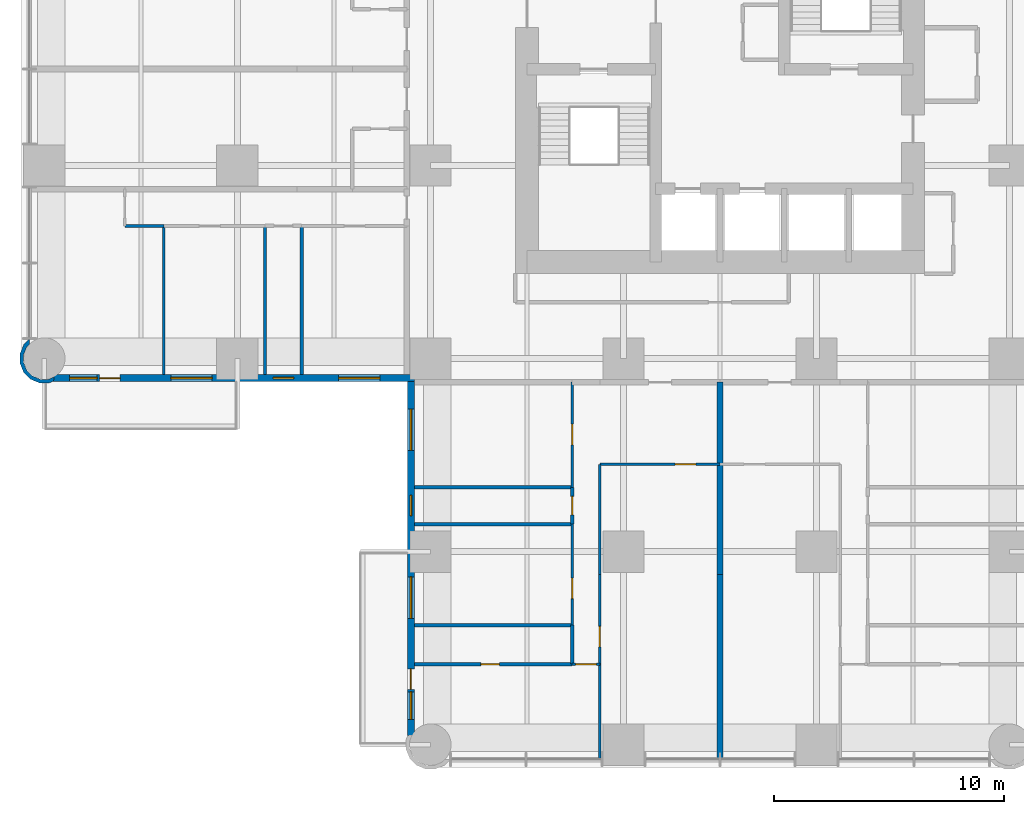
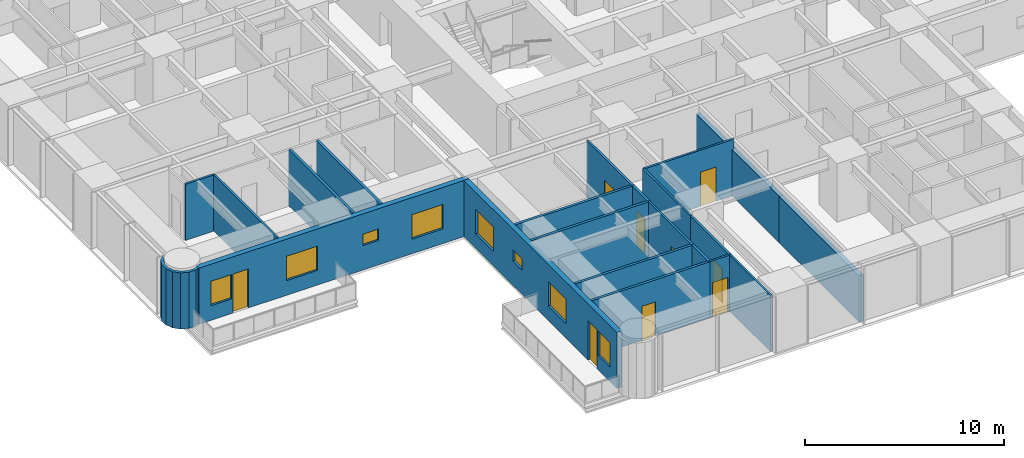
# One storey, part 7 of 17: 23 walls, 9 doors, 8 windows, 17 openings.
"""IFC4 building model written with IfcOpenShell, lengths in metres."""

from ifc_helpers import new_model, si_unit, direction, frame, frame_2d, origin, place, context, subcontext, project, spatial, polyline, rectangle, outline, extrude, material, layer, layer_set, type_object, element, fill, save


model = new_model("IFC4")

# Units and contexts
model_context = context("Model", 3, precision=1e-05, world=origin(), true_north=direction((0.0, 1.0)))
body_context = subcontext(model_context, "Body", "Model", "MODEL_VIEW")
ifc_project = project(units=[si_unit("LENGTHUNIT", "METRE"), si_unit("AREAUNIT", "SQUARE_METRE"), si_unit("VOLUMEUNIT", "CUBIC_METRE"), si_unit("PLANEANGLEUNIT", "RADIAN"), si_unit("MASSUNIT", "GRAM", prefix="KILO")], contexts=[model_context])

# Site, building, storey
site_placement = place(None, origin())
site = spatial("IfcSite", under=ifc_project, at=site_placement, CompositionType="ELEMENT")
building_placement = place(site_placement, origin())
building = spatial("IfcBuilding", under=site, at=building_placement, Name="Torre Alcanfor", CompositionType="ELEMENT")
storey_placement = place(building_placement, frame((0.0, 0.0, 81.300048828125)))
storey = spatial("IfcBuildingStorey", under=building, at=storey_placement, Name="L20", CompositionType="ELEMENT", Elevation=81.300048828125)

# Wall, opening, door
ifc_material_1 = material(Name="Gypsum board on steel studs", Category="steel")
ifc_layer_1 = layer(ifc_material_1, 0.1201171875)
ifc_layer_set_1 = layer_set([ifc_layer_1], Name="Apartment partition 120")
wall_type_1 = type_object("IfcWallType", Name="Apartment partition 120", PredefinedType="PARTITIONING", material=ifc_layer_set_1)
wall_1_placement = place(storey_placement, frame((29.39990234375, 12.199951171875, 0.0), z_axis=(0.0, 0.0, 1.0), x_axis=(-1.0, 0.0, 0.0)))
wall_1 = element("IfcWall", 1, at=wall_1_placement, inside=storey, type_object=wall_type_1, Name="Partition L20-S2-ZAG / L20-S2-KITCHEN", PredefinedType="PARTITIONING", context=body_context, shape_type="SweptSolid", body=[
    extrude(rectangle(XDim=5.22900390625, YDim=0.1201171875, at=frame_2d((2.614501953125, 0.0))), origin(), (0.0, 0.0, 1.0), 3.449951171875),
])
opening_1_placement = place(wall_1_placement, frame((1.050048828125, 0.0, 0.0)))
opening_1 = element("IfcOpeningElement", 2, at=opening_1_placement, cuts=wall_1, Name="Opening D-R1", PredefinedType="OPENING", context=body_context, shape_type="SweptSolid", body=[
    extrude(rectangle(XDim=0.89990234375, YDim=2.10009765625, at=frame_2d((0.449951171875, 1.050048828125))), frame((0.0, 0.070068359375, 0.0), z_axis=(0.0, -1.0, 0.0), x_axis=(1.0, 0.0, 0.0)), (0.0, 0.0, 1.0), 0.14013671875),
])
ifc_material_2 = material(Name="Timber", Category="wood")
door_type_1 = type_object("IfcDoorType", Name="Internal door 900x2100", OperationType="SINGLE_SWING_LEFT", PredefinedType="DOOR", material=ifc_material_2)
door_1_placement = place(opening_1_placement, origin())
door_1 = element("IfcDoor", 3, at=door_1_placement, inside=storey, type_object=door_type_1, Name="Door L20-S2 kitchen", OperationType="SINGLE_SWING_LEFT", OverallHeight=2.10009765625, OverallWidth=0.89990234375, PredefinedType="DOOR", context=body_context, shape_type="SweptSolid", body=[
    extrude(rectangle(XDim=0.89990234375, YDim=2.10009765625, at=frame_2d((0.449951171875, 1.050048828125))), frame((0.0, 0.02490234375, 0.0), z_axis=(0.0, -1.0, 0.0), x_axis=(1.0, 0.0, 0.0)), (0.0, 0.0, 1.0), 0.050048828125),
])
fill(opening_1, door_1)

# Wall
wall_2_placement = place(storey_placement, frame((24.1708984375, 7.39990234375, 0.0), z_axis=(0.0, 0.0, 1.0), x_axis=(0.0, 1.0, 0.0)))
element("IfcWall", 4, at=wall_2_placement, inside=storey, type_object=wall_type_1, Name="Partition L20-S2-KITCHEN / L20-S2-HALL", PredefinedType="PARTITIONING", context=body_context, shape_type="SweptSolid", body=[
    extrude(rectangle(XDim=4.800048828125, YDim=0.1201171875, at=frame_2d((2.39990234375, 0.0))), origin(), (0.0, 0.0, 1.0), 3.449951171875),
])

# Wall, opening, door
wall_3_placement = place(storey_placement, frame((24.1708984375, 3.5, 0.0), z_axis=(0.0, 0.0, 1.0), x_axis=(0.0, 1.0, 0.0)))
wall_3 = element("IfcWall", 5, at=wall_3_placement, inside=storey, type_object=wall_type_1, Name="Partition L20-S2-LIVING / L20-S2-HALL", PredefinedType="PARTITIONING", context=body_context, shape_type="SweptSolid", body=[
    extrude(rectangle(XDim=3.89990234375, YDim=0.1201171875, at=frame_2d((1.949951171875, 0.0))), origin(), (0.0, 0.0, 1.0), 3.449951171875),
])
opening_2_placement = place(wall_3_placement, frame((0.75, 0.0, 0.0)))
opening_2 = element("IfcOpeningElement", 6, at=opening_2_placement, cuts=wall_3, Name="Opening D-R1", PredefinedType="OPENING", context=body_context, shape_type="SweptSolid", body=[
    extrude(rectangle(XDim=0.89990234375, YDim=2.10009765625, at=frame_2d((0.449951171875, 1.050048828125))), frame((0.0, 0.070068359375, 0.0), z_axis=(0.0, -1.0, 0.0), x_axis=(1.0, 0.0, 0.0)), (0.0, 0.0, 1.0), 0.14013671875),
])
door_2_placement = place(opening_2_placement, frame((0.89990234375, 0.0, 0.0), z_axis=(0.0, 0.0, 1.0), x_axis=(-1.0, 0.0, 0.0)))
door_2 = element("IfcDoor", 7, at=door_2_placement, inside=storey, type_object=door_type_1, Name="Door L20-S2 living", OperationType="SINGLE_SWING_LEFT", OverallHeight=2.10009765625, OverallWidth=0.89990234375, PredefinedType="DOOR", context=body_context, shape_type="SweptSolid", body=[
    extrude(rectangle(XDim=0.89990234375, YDim=2.10009765625, at=frame_2d((0.449951171875, 1.050048828125))), frame((0.0, 0.025146484375, 0.0), z_axis=(0.0, -1.0, 0.0), x_axis=(1.0, 0.0, 0.0)), (0.0, 0.0, 1.0), 0.050048828125),
])
fill(opening_2, door_2)

# Wall
wall_4_placement = place(storey_placement, frame((24.1708984375, -0.64990234375, 0.0), z_axis=(0.0, 0.0, 1.0), x_axis=(0.0, 1.0, 0.0)))
element("IfcWall", 8, at=wall_4_placement, inside=storey, type_object=wall_type_1, Name="Partition L20-S2-LIVING / L20-S2-MASTER", PredefinedType="PARTITIONING", context=body_context, shape_type="SweptSolid", body=[
    extrude(rectangle(XDim=4.14990234375, YDim=0.1201171875, at=frame_2d((2.074951171875, 0.0))), origin(), (0.0, 0.0, 1.0), 3.449951171875),
])

# Wall, opening, door
wall_5_placement = place(storey_placement, frame((22.970947265625, 11.199951171875, 0.0), z_axis=(0.0, 0.0, 1.0), x_axis=(0.0, 1.0, 0.0)))
wall_5 = element("IfcWall", 9, at=wall_5_placement, inside=storey, type_object=wall_type_1, Name="Partition L20-S2-HALL / L20-S2-BED3", PredefinedType="PARTITIONING", context=body_context, shape_type="SweptSolid", body=[
    extrude(rectangle(XDim=4.574951171875, YDim=0.1201171875, at=frame_2d((2.28759765625, 0.0))), origin(), (0.0, 0.0, 1.0), 3.449951171875),
])
opening_3_placement = place(wall_5_placement, frame((1.85009765625, 0.0, 0.0)))
opening_3 = element("IfcOpeningElement", 10, at=opening_3_placement, cuts=wall_5, Name="Opening D-R1", PredefinedType="OPENING", context=body_context, shape_type="SweptSolid", body=[
    extrude(rectangle(XDim=0.89990234375, YDim=2.10009765625, at=frame_2d((0.449951171875, 1.050048828125))), frame((0.0, 0.070068359375, 0.0), z_axis=(0.0, -1.0, 0.0), x_axis=(1.0, 0.0, 0.0)), (0.0, 0.0, 1.0), 0.14013671875),
])
door_3_placement = place(opening_3_placement, origin())
door_3 = element("IfcDoor", 11, at=door_3_placement, inside=storey, type_object=door_type_1, Name="Door L20-S2 bed3", OperationType="SINGLE_SWING_RIGHT", OverallHeight=2.10009765625, OverallWidth=0.89990234375, PredefinedType="DOOR", context=body_context, shape_type="SweptSolid", body=[
    extrude(rectangle(XDim=0.89990234375, YDim=2.10009765625, at=frame_2d((0.449951171875, 1.050048828125))), frame((0.0, 0.02490234375, 0.0), z_axis=(0.0, -1.0, 0.0), x_axis=(1.0, 0.0, 0.0)), (0.0, 0.0, 1.0), 0.050048828125),
])
fill(opening_3, door_3)

wall_6_placement = place(storey_placement, frame((22.970947265625, 5.199951171875, 0.0), z_axis=(0.0, 0.0, 1.0), x_axis=(0.0, 1.0, 0.0)))
wall_6 = element("IfcWall", 12, at=wall_6_placement, inside=storey, type_object=wall_type_1, Name="Partition L20-S2-HALL / L20-S2-BED2", PredefinedType="PARTITIONING", context=body_context, shape_type="SweptSolid", body=[
    extrude(rectangle(XDim=4.400146484375, YDim=0.1201171875, at=frame_2d((2.2001953125, 0.0))), origin(), (0.0, 0.0, 1.0), 3.449951171875),
])
opening_4_placement = place(wall_6_placement, frame((1.14990234375, 0.0, 0.0)))
opening_4 = element("IfcOpeningElement", 13, at=opening_4_placement, cuts=wall_6, Name="Opening D-R1", PredefinedType="OPENING", context=body_context, shape_type="SweptSolid", body=[
    extrude(rectangle(XDim=0.89990234375, YDim=2.10009765625, at=frame_2d((0.449951171875, 1.050048828125))), frame((0.0, 0.070068359375, 0.0), z_axis=(0.0, -1.0, 0.0), x_axis=(1.0, 0.0, 0.0)), (0.0, 0.0, 1.0), 0.14013671875),
])
door_4_placement = place(opening_4_placement, origin())
door_4 = element("IfcDoor", 14, at=door_4_placement, inside=storey, type_object=door_type_1, Name="Door L20-S2 bed2", OperationType="SINGLE_SWING_LEFT", OverallHeight=2.10009765625, OverallWidth=0.89990234375, PredefinedType="DOOR", context=body_context, shape_type="SweptSolid", body=[
    extrude(rectangle(XDim=0.89990234375, YDim=2.10009765625, at=frame_2d((0.449951171875, 1.050048828125))), frame((0.0, 0.02490234375, 0.0), z_axis=(0.0, -1.0, 0.0), x_axis=(1.0, 0.0, 0.0)), (0.0, 0.0, 1.0), 0.050048828125),
])
fill(opening_4, door_4)

wall_7_placement = place(storey_placement, frame((24.1708984375, 3.5, 0.0), z_axis=(0.0, 0.0, 1.0), x_axis=(-1.0, 0.0, 0.0)))
wall_7 = element("IfcWall", 15, at=wall_7_placement, inside=storey, type_object=wall_type_1, Name="Partition L20-S2-HALL / L20-S2-MASTER", PredefinedType="PARTITIONING", context=body_context, shape_type="SweptSolid", body=[
    extrude(rectangle(XDim=1.199951171875, YDim=0.1201171875, at=frame_2d((0.60009765625, 0.0))), origin(), (0.0, 0.0, 1.0), 3.449951171875),
])
opening_5_placement = place(wall_7_placement, frame((0.15087890625, 0.0, 0.0)))
opening_5 = element("IfcOpeningElement", 16, at=opening_5_placement, cuts=wall_7, Name="Opening D-R1", PredefinedType="OPENING", context=body_context, shape_type="SweptSolid", body=[
    extrude(rectangle(XDim=0.89990234375, YDim=2.10009765625, at=frame_2d((0.449951171875, 1.050048828125))), frame((0.0, 0.070068359375, 0.0), z_axis=(0.0, -1.0, 0.0), x_axis=(1.0, 0.0, 0.0)), (0.0, 0.0, 1.0), 0.14013671875),
])
door_5_placement = place(opening_5_placement, origin())
door_5 = element("IfcDoor", 17, at=door_5_placement, inside=storey, type_object=door_type_1, Name="Door L20-S2 master", OperationType="SINGLE_SWING_LEFT", OverallHeight=2.10009765625, OverallWidth=0.89990234375, PredefinedType="DOOR", context=body_context, shape_type="SweptSolid", body=[
    extrude(rectangle(XDim=0.89990234375, YDim=2.10009765625, at=frame_2d((0.449951171875, 1.050048828125))), frame((0.0, 0.02490234375, 0.0), z_axis=(0.0, -1.0, 0.0), x_axis=(1.0, 0.0, 0.0)), (0.0, 0.0, 1.0), 0.050048828125),
])
fill(opening_5, door_5)

# Walls
wall_8_placement = place(storey_placement, frame((3.5, 22.571044921875, 0.0), z_axis=(0.0, 0.0, 1.0), x_axis=(1.0, 0.0, 0.0)))
element("IfcWall", 18, at=wall_8_placement, inside=storey, type_object=wall_type_1, Name="Partition L20-W1B-HALL / L20-W1B-KITCHEN", PredefinedType="PARTITIONING", context=body_context, shape_type="SweptSolid", body=[
    extrude(rectangle(XDim=1.699951171875, YDim=0.1201171875, at=frame_2d((0.85009765625, 0.0))), origin(), (0.0, 0.0, 1.0), 3.449951171875),
])
wall_9_placement = place(storey_placement, frame((5.199951171875, 22.571044921875, 0.0), z_axis=(0.0, 0.0, 1.0), x_axis=(0.0, -1.0, 0.0)))
element("IfcWall", 19, at=wall_9_placement, inside=storey, type_object=wall_type_1, Name="Partition L20-W1B-STUDY / L20-W1B-KITCHEN", PredefinedType="PARTITIONING", context=body_context, shape_type="SweptSolid", body=[
    extrude(rectangle(XDim=6.470947265625, YDim=0.1201171875, at=frame_2d((3.2353515625, 0.0))), origin(), (0.0, 0.0, 1.0), 3.449951171875),
])

# Wall, openings, door, windows
ifc_material_3 = material(Name="Limestone cladding", Category="masonry")
ifc_layer_2 = layer(ifc_material_3, 0.0400390625, Name="Facing")
ifc_material_4 = material(Name="Ventilated air cavity")
ifc_layer_3 = layer(ifc_material_4, 0.02001953125, ventilated=True, Name="Ventilated joint")
ifc_material_5 = material(Name="Mineral wool insulation", Category="insulation")
ifc_layer_4 = layer(ifc_material_5, 0.10009765625, Name="Insulation")
ifc_material_6 = material(Name="Concrete f'c 35 MPa", Category="concrete")
ifc_layer_5 = layer(ifc_material_6, 0.139892578125, Name="Backing")
ifc_layer_set_2 = layer_set([ifc_layer_2, ifc_layer_3, ifc_layer_4, ifc_layer_5], Name="External wall stone-clad 300")
wall_type_2 = type_object("IfcWallType", Name="External wall stone-clad 300", PredefinedType="SOLIDWALL", material=ifc_layer_set_2)
wall_10_placement = place(storey_placement, frame((0.39990234375, 15.949951171875, 0.0), z_axis=(0.0, 0.0, 1.0), x_axis=(1.0, 0.0, 0.0)))
wall_10 = element("IfcWall", 20, at=wall_10_placement, inside=storey, type_object=wall_type_2, Name="External wall L20 3", PredefinedType="SOLIDWALL", context=body_context, shape_type="SweptSolid", body=[
    extrude(rectangle(XDim=15.7001953125, YDim=0.300048828125, at=frame_2d((7.85009765625, 0.0))), origin(), (0.0, 0.0, 1.0), 3.449951171875),
])
opening_6_placement = place(wall_10_placement, frame((12.39990234375, 0.0, 0.89990234375)))
opening_6 = element("IfcOpeningElement", 21, at=opening_6_placement, cuts=wall_10, Name="Opening W2", PredefinedType="OPENING", context=body_context, shape_type="SweptSolid", body=[
    extrude(rectangle(XDim=1.800048828125, YDim=1.5, at=frame_2d((0.89990234375, 0.75))), frame((0.0, 0.159912109375, 0.0), z_axis=(0.0, -1.0, 0.0), x_axis=(1.0, 0.0, 0.0)), (0.0, 0.0, 1.0), 0.320068359375),
])
opening_7_placement = place(wall_10_placement, frame((9.550048828125, 0.0, 1.5)))
opening_7 = element("IfcOpeningElement", 22, at=opening_7_placement, cuts=wall_10, Name="Opening W3", PredefinedType="OPENING", context=body_context, shape_type="SweptSolid", body=[
    extrude(rectangle(XDim=0.89990234375, YDim=0.699951171875, at=frame_2d((0.449951171875, 0.35009765625))), frame((0.0, 0.159912109375, 0.0), z_axis=(0.0, -1.0, 0.0), x_axis=(1.0, 0.0, 0.0)), (0.0, 0.0, 1.0), 0.320068359375),
])
opening_8_placement = place(wall_10_placement, frame((5.10009765625, 0.0, 0.89990234375)))
opening_8 = element("IfcOpeningElement", 23, at=opening_8_placement, cuts=wall_10, Name="Opening W2", PredefinedType="OPENING", context=body_context, shape_type="SweptSolid", body=[
    extrude(rectangle(XDim=1.800048828125, YDim=1.5, at=frame_2d((0.89990234375, 0.75))), frame((0.0, 0.159912109375, 0.0), z_axis=(0.0, -1.0, 0.0), x_axis=(1.0, 0.0, 0.0)), (0.0, 0.0, 1.0), 0.320068359375),
])
opening_9_placement = place(wall_10_placement, frame((2.0, 0.0, 0.0)))
opening_9 = element("IfcOpeningElement", 24, at=opening_9_placement, cuts=wall_10, Name="Opening D-B1", PredefinedType="OPENING", context=body_context, shape_type="SweptSolid", body=[
    extrude(rectangle(XDim=0.89990234375, YDim=2.39990234375, at=frame_2d((0.449951171875, 1.199951171875))), frame((0.0, 0.159912109375, 0.0), z_axis=(0.0, -1.0, 0.0), x_axis=(1.0, 0.0, 0.0)), (0.0, 0.0, 1.0), 0.320068359375),
])
opening_10_placement = place(wall_10_placement, frame((0.699951171875, 0.0, 0.89990234375)))
opening_10 = element("IfcOpeningElement", 25, at=opening_10_placement, cuts=wall_10, Name="Opening W4", PredefinedType="OPENING", context=body_context, shape_type="SweptSolid", body=[
    extrude(rectangle(XDim=1.199951171875, YDim=1.5, at=frame_2d((0.60009765625, 0.75))), frame((0.0, 0.159912109375, 0.0), z_axis=(0.0, -1.0, 0.0), x_axis=(1.0, 0.0, 0.0)), (0.0, 0.0, 1.0), 0.320068359375),
])
ifc_material_7 = material(Name="Aluminium and glass", Category="aluminium")
door_type_2 = type_object("IfcDoorType", Name="Balcony door glazed 900x2400", OperationType="SINGLE_SWING_LEFT", PredefinedType="DOOR", material=ifc_material_7)
door_6_placement = place(opening_9_placement, origin())
door_6 = element("IfcDoor", 26, at=door_6_placement, inside=storey, type_object=door_type_2, Name="Balcony door L20-W1", OperationType="SINGLE_SWING_RIGHT", OverallHeight=2.39990234375, OverallWidth=0.89990234375, PredefinedType="DOOR", context=body_context, shape_type="SweptSolid", body=[
    extrude(rectangle(XDim=0.89990234375, YDim=2.39990234375, at=frame_2d((0.449951171875, 1.199951171875))), frame((0.0, 0.02490234375, 0.0), z_axis=(0.0, -1.0, 0.0), x_axis=(1.0, 0.0, 0.0)), (0.0, 0.0, 1.0), 0.050048828125),
])
fill(opening_9, door_6)
ifc_material_8 = material(Name="Aluminium frame with clear double glazing", Category="aluminium")
window_type_1 = type_object("IfcWindowType", Name="Window bathroom 900x700", PartitioningType="SINGLE_PANEL", PredefinedType="WINDOW", material=ifc_material_8)
window_1_placement = place(opening_7_placement, origin())
window_1 = element("IfcWindow", 27, at=window_1_placement, inside=storey, type_object=window_type_1, Name="Window W3 L20-W1", OverallHeight=0.699951171875, OverallWidth=0.89990234375, PartitioningType="SINGLE_PANEL", PredefinedType="WINDOW", context=body_context, shape_type="SweptSolid", body=[
    extrude(rectangle(XDim=0.89990234375, YDim=0.699951171875, at=frame_2d((0.449951171875, 0.35009765625))), frame((0.0, 0.030029296875, 0.0), z_axis=(0.0, -1.0, 0.0), x_axis=(1.0, 0.0, 0.0)), (0.0, 0.0, 1.0), 0.06005859375),
])
fill(opening_7, window_1)
ifc_material_9 = material(Name="Aluminium frame with clear double glazing", Category="aluminium")
window_type_2 = type_object("IfcWindowType", Name="Window bedroom 1200x1500", PartitioningType="SINGLE_PANEL", PredefinedType="WINDOW", material=ifc_material_9)
window_2_placement = place(opening_10_placement, origin())
window_2 = element("IfcWindow", 28, at=window_2_placement, inside=storey, type_object=window_type_2, Name="Window W4 L20-W1", OverallHeight=1.5, OverallWidth=1.199951171875, PartitioningType="SINGLE_PANEL", PredefinedType="WINDOW", context=body_context, shape_type="SweptSolid", body=[
    extrude(rectangle(XDim=1.199951171875, YDim=1.5, at=frame_2d((0.60009765625, 0.75))), frame((0.0, 0.030029296875, 0.0), z_axis=(0.0, -1.0, 0.0), x_axis=(1.0, 0.0, 0.0)), (0.0, 0.0, 1.0), 0.06005859375),
])
fill(opening_10, window_2)
ifc_material_10 = material(Name="Aluminium frame with clear double glazing", Category="aluminium")
window_type_3 = type_object("IfcWindowType", Name="Window bedroom 1800x1500", PartitioningType="SINGLE_PANEL", PredefinedType="WINDOW", material=ifc_material_10)
window_3_placement = place(opening_6_placement, origin())
window_3 = element("IfcWindow", 29, at=window_3_placement, inside=storey, type_object=window_type_3, Name="Window W2 L20-W1", OverallHeight=1.5, OverallWidth=1.800048828125, PartitioningType="SINGLE_PANEL", PredefinedType="WINDOW", context=body_context, shape_type="SweptSolid", body=[
    extrude(rectangle(XDim=1.800048828125, YDim=1.5, at=frame_2d((0.89990234375, 0.75))), frame((0.0, 0.030029296875, 0.0), z_axis=(0.0, -1.0, 0.0), x_axis=(1.0, 0.0, 0.0)), (0.0, 0.0, 1.0), 0.06005859375),
])
fill(opening_6, window_3)
window_4_placement = place(opening_8_placement, origin())
window_4 = element("IfcWindow", 30, at=window_4_placement, inside=storey, type_object=window_type_3, Name="Window W2 L20-W1", OverallHeight=1.5, OverallWidth=1.800048828125, PartitioningType="SINGLE_PANEL", PredefinedType="WINDOW", context=body_context, shape_type="SweptSolid", body=[
    extrude(rectangle(XDim=1.800048828125, YDim=1.5, at=frame_2d((0.89990234375, 0.75))), frame((0.0, 0.030029296875, 0.0), z_axis=(0.0, -1.0, 0.0), x_axis=(1.0, 0.0, 0.0)), (0.0, 0.0, 1.0), 0.06005859375),
])
fill(opening_8, window_4)

wall_11_placement = place(storey_placement, frame((15.949951171875, 15.800048828125, 0.0), z_axis=(0.0, 0.0, 1.0), x_axis=(0.0, -1.0, 0.0)))
wall_11 = element("IfcWall", 31, at=wall_11_placement, inside=storey, type_object=wall_type_2, Name="External wall L20 4", PredefinedType="SOLIDWALL", context=body_context, shape_type="SweptSolid", body=[
    extrude(rectangle(XDim=15.400146484375, YDim=0.300048828125, at=frame_2d((7.7001953125, 0.0))), origin(), (0.0, 0.0, 1.0), 3.449951171875),
])
opening_11_placement = place(wall_11_placement, frame((1.199951171875, 0.0, 0.89990234375)))
opening_11 = element("IfcOpeningElement", 32, at=opening_11_placement, cuts=wall_11, Name="Opening W2", PredefinedType="OPENING", context=body_context, shape_type="SweptSolid", body=[
    extrude(rectangle(XDim=1.800048828125, YDim=1.5, at=frame_2d((0.89990234375, 0.75))), frame((0.0, 0.159912109375, 0.0), z_axis=(0.0, -1.0, 0.0), x_axis=(1.0, 0.0, 0.0)), (0.0, 0.0, 1.0), 0.320068359375),
])
opening_12_placement = place(wall_11_placement, frame((4.949951171875, 0.0, 1.5)))
opening_12 = element("IfcOpeningElement", 33, at=opening_12_placement, cuts=wall_11, Name="Opening W3", PredefinedType="OPENING", context=body_context, shape_type="SweptSolid", body=[
    extrude(rectangle(XDim=0.89990234375, YDim=0.699951171875, at=frame_2d((0.449951171875, 0.35009765625))), frame((0.0, 0.159912109375, 0.0), z_axis=(0.0, -1.0, 0.0), x_axis=(1.0, 0.0, 0.0)), (0.0, 0.0, 1.0), 0.320068359375),
])
opening_13_placement = place(wall_11_placement, frame((8.5, 0.0, 0.89990234375)))
opening_13 = element("IfcOpeningElement", 34, at=opening_13_placement, cuts=wall_11, Name="Opening W2", PredefinedType="OPENING", context=body_context, shape_type="SweptSolid", body=[
    extrude(rectangle(XDim=1.800048828125, YDim=1.5, at=frame_2d((0.89990234375, 0.75))), frame((0.0, 0.159912109375, 0.0), z_axis=(0.0, -1.0, 0.0), x_axis=(1.0, 0.0, 0.0)), (0.0, 0.0, 1.0), 0.320068359375),
])
opening_14_placement = place(wall_11_placement, frame((12.5, 0.0, 0.0)))
opening_14 = element("IfcOpeningElement", 35, at=opening_14_placement, cuts=wall_11, Name="Opening D-B1", PredefinedType="OPENING", context=body_context, shape_type="SweptSolid", body=[
    extrude(rectangle(XDim=0.89990234375, YDim=2.39990234375, at=frame_2d((0.449951171875, 1.199951171875))), frame((0.0, 0.159912109375, 0.0), z_axis=(0.0, -1.0, 0.0), x_axis=(1.0, 0.0, 0.0)), (0.0, 0.0, 1.0), 0.320068359375),
])
opening_15_placement = place(wall_11_placement, frame((13.5, 0.0, 0.89990234375)))
opening_15 = element("IfcOpeningElement", 36, at=opening_15_placement, cuts=wall_11, Name="Opening W4", PredefinedType="OPENING", context=body_context, shape_type="SweptSolid", body=[
    extrude(rectangle(XDim=1.199951171875, YDim=1.5, at=frame_2d((0.60009765625, 0.75))), frame((0.0, 0.159912109375, 0.0), z_axis=(0.0, -1.0, 0.0), x_axis=(1.0, 0.0, 0.0)), (0.0, 0.0, 1.0), 0.320068359375),
])
door_7_placement = place(opening_14_placement, origin())
door_7 = element("IfcDoor", 37, at=door_7_placement, inside=storey, type_object=door_type_2, Name="Balcony door L20-S2", OperationType="SINGLE_SWING_LEFT", OverallHeight=2.39990234375, OverallWidth=0.89990234375, PredefinedType="DOOR", context=body_context, shape_type="SweptSolid", body=[
    extrude(rectangle(XDim=0.89990234375, YDim=2.39990234375, at=frame_2d((0.449951171875, 1.199951171875))), frame((0.0, 0.02490234375, 0.0), z_axis=(0.0, -1.0, 0.0), x_axis=(1.0, 0.0, 0.0)), (0.0, 0.0, 1.0), 0.050048828125),
])
fill(opening_14, door_7)
window_5_placement = place(opening_12_placement, origin())
window_5 = element("IfcWindow", 38, at=window_5_placement, inside=storey, type_object=window_type_1, Name="Window W3 L20-S2", OverallHeight=0.699951171875, OverallWidth=0.89990234375, PartitioningType="SINGLE_PANEL", PredefinedType="WINDOW", context=body_context, shape_type="SweptSolid", body=[
    extrude(rectangle(XDim=0.89990234375, YDim=0.699951171875, at=frame_2d((0.449951171875, 0.35009765625))), frame((0.0, 0.030029296875, 0.0), z_axis=(0.0, -1.0, 0.0), x_axis=(1.0, 0.0, 0.0)), (0.0, 0.0, 1.0), 0.06005859375),
])
fill(opening_12, window_5)
window_6_placement = place(opening_15_placement, origin())
window_6 = element("IfcWindow", 39, at=window_6_placement, inside=storey, type_object=window_type_2, Name="Window W4 L20-S2", OverallHeight=1.5, OverallWidth=1.199951171875, PartitioningType="SINGLE_PANEL", PredefinedType="WINDOW", context=body_context, shape_type="SweptSolid", body=[
    extrude(rectangle(XDim=1.199951171875, YDim=1.5, at=frame_2d((0.60009765625, 0.75))), frame((0.0, 0.030029296875, 0.0), z_axis=(0.0, -1.0, 0.0), x_axis=(1.0, 0.0, 0.0)), (0.0, 0.0, 1.0), 0.06005859375),
])
fill(opening_15, window_6)
window_7_placement = place(opening_11_placement, origin())
window_7 = element("IfcWindow", 40, at=window_7_placement, inside=storey, type_object=window_type_3, Name="Window W2 L20-S2", OverallHeight=1.5, OverallWidth=1.800048828125, PartitioningType="SINGLE_PANEL", PredefinedType="WINDOW", context=body_context, shape_type="SweptSolid", body=[
    extrude(rectangle(XDim=1.800048828125, YDim=1.5, at=frame_2d((0.89990234375, 0.75))), frame((0.0, 0.030029296875, 0.0), z_axis=(0.0, -1.0, 0.0), x_axis=(1.0, 0.0, 0.0)), (0.0, 0.0, 1.0), 0.06005859375),
])
fill(opening_11, window_7)
window_8_placement = place(opening_13_placement, origin())
window_8 = element("IfcWindow", 41, at=window_8_placement, inside=storey, type_object=window_type_3, Name="Window W2 L20-S2", OverallHeight=1.5, OverallWidth=1.800048828125, PartitioningType="SINGLE_PANEL", PredefinedType="WINDOW", context=body_context, shape_type="SweptSolid", body=[
    extrude(rectangle(XDim=1.800048828125, YDim=1.5, at=frame_2d((0.89990234375, 0.75))), frame((0.0, 0.030029296875, 0.0), z_axis=(0.0, -1.0, 0.0), x_axis=(1.0, 0.0, 0.0)), (0.0, 0.0, 1.0), 0.06005859375),
])
fill(opening_13, window_8)

# Walls
ifc_material_11 = material(Name="Concrete block masonry, hollow blocks NMX-C-404 9 MPa", Category="masonry")
ifc_layer_6 = layer(ifc_material_11, 0.25)
ifc_layer_set_3 = layer_set([ifc_layer_6], Name="Party wall 250 EI 60")
wall_type_3 = type_object("IfcWallType", Name="Party wall 250 EI 60", PredefinedType="PARTITIONING", material=ifc_layer_set_3)
wall_12_placement = place(storey_placement, frame((29.39990234375, 15.77490234375, 0.0), z_axis=(0.0, 0.0, 1.0), x_axis=(0.0, -1.0, 0.0)))
element("IfcWall", 42, at=wall_12_placement, inside=storey, type_object=wall_type_3, Name="Partition L20-S1-ZAG / L20-S2-ZAG", PredefinedType="PARTITIONING", context=body_context, shape_type="SweptSolid", body=[
    extrude(rectangle(XDim=3.574951171875, YDim=0.25, at=frame_2d((1.78759765625, 0.0))), origin(), (0.0, 0.0, 1.0), 2.847900390625),
])
wall_13_placement = place(storey_placement, frame((29.39990234375, 12.199951171875, 0.0), z_axis=(0.0, 0.0, 1.0), x_axis=(0.0, -1.0, 0.0)))
element("IfcWall", 43, at=wall_13_placement, inside=storey, type_object=wall_type_3, Name="Partition L20-S1-KITCHEN / L20-S2-KITCHEN", PredefinedType="PARTITIONING", context=body_context, shape_type="SweptSolid", body=[
    extrude(rectangle(XDim=4.800048828125, YDim=0.25, at=frame_2d((2.39990234375, 0.0))), origin(), (0.0, 0.0, 1.0), 2.847900390625),
])
wall_14_placement = place(storey_placement, frame((29.39990234375, 7.39990234375, 0.0), z_axis=(0.0, 0.0, 1.0), x_axis=(0.0, -1.0, 0.0)))
element("IfcWall", 44, at=wall_14_placement, inside=storey, type_object=wall_type_3, Name="Partition L20-S1-LIVING / L20-S2-LIVING", PredefinedType="PARTITIONING", context=body_context, shape_type="SweptSolid", body=[
    extrude(rectangle(XDim=8.0498046875, YDim=0.25, at=frame_2d((4.02490234375, 0.0))), origin(), (0.0, 0.0, 1.0), 2.847900390625),
])
ifc_layer_7 = layer(ifc_material_3, 0.0400390625, Name="Facing")
ifc_layer_8 = layer(ifc_material_4, 0.02001953125, ventilated=True, Name="Ventilated joint")
ifc_layer_9 = layer(ifc_material_5, 0.10009765625, Name="Insulation")
ifc_layer_10 = layer(ifc_material_6, 0.139892578125, Name="Backing")
ifc_layer_set_4 = layer_set([ifc_layer_7, ifc_layer_8, ifc_layer_9, ifc_layer_10], Name="Rounded corner pier stone-clad 300")
wall_type_4 = type_object("IfcWallType", Name="Rounded corner pier stone-clad 300", PredefinedType="SOLIDWALL", material=ifc_layer_set_4)
wall_15_placement = place(storey_placement, frame((-0.610519256, 17.56659392, 0.0), z_axis=(0.0, 0.0, 1.0), x_axis=(-0.926129809145, -0.377204953059, 0.0)))
element("IfcWall", 45, at=wall_15_placement, inside=storey, type_object=wall_type_4, Name="Corner pier L20 14", PredefinedType="SOLIDWALL", context=body_context, shape_type="SweptSolid", body=[
    extrude(outline(polyline([(-0.2694320048751383, 2.0171861008885523), (-0.3700526678318482, 1.8406866495551875), (-0.10232913830325796, 1.8423628952563784), (0.22959433821660935, 1.7071732294627), (0.4846648868960458, 1.4551341488862783), (0.6237723089217844, 1.1248457008471362), (0.6256501657648526, 0.7663568996565957), (0.49046049997117414, 0.4344334231367283), (0.2387396163581813, 0.17949688931473468), (0.09014163443691028, 0.11691195088889664), (0.010851237809964043, -0.07776523799639344), (0.024417592436116662, -0.08329070117597158), (0.32956848036437986, 0.045229547111777235), (0.4801338191951393, 0.19743274075920003), (0.4990091877024963, 0.1926447125875501), (0.5075557555746872, 0.2252788612711387), (0.6260018077392729, 0.3452223941390844), (0.7850430562581303, 0.7357073014618439), (0.782472278983801, 1.15721841463542), (0.6187061231885674, 1.5460551039454697), (0.3187132761612602, 1.8424884313203629), (-0.07154552525106339, 2.0014375887862275), (-0.2401131340992967, 2.00049972024067), (-0.2694320048751383, 2.0171861008885523)])), origin(), (0.0, 0.0, 1.0), 3.449951171875),
])

# Wall, opening, door
ifc_material_12 = material(Name="Cement board on steel studs", Category="steel")
ifc_layer_11 = layer(ifc_material_12, 0.14990234375)
ifc_layer_set_5 = layer_set([ifc_layer_11], Name="Wet area partition 150")
wall_type_5 = type_object("IfcWallType", Name="Wet area partition 150", PredefinedType="PARTITIONING", material=ifc_layer_set_5)
wall_16_placement = place(storey_placement, frame((22.970947265625, 9.60009765625, 0.0), z_axis=(0.0, 0.0, 1.0), x_axis=(0.0, 1.0, 0.0)))
wall_16 = element("IfcWall", 46, at=wall_16_placement, inside=storey, type_object=wall_type_5, Name="Partition L20-S2-HALL / L20-S2-BATH1", PredefinedType="PARTITIONING", context=body_context, shape_type="SweptSolid", body=[
    extrude(rectangle(XDim=1.599853515625, YDim=0.14990234375, at=frame_2d((0.7998046875, 0.0))), origin(), (0.0, 0.0, 1.0), 3.449951171875),
])
opening_16_placement = place(wall_16_placement, frame((0.39990234375, 0.0, 0.0)))
opening_16 = element("IfcOpeningElement", 47, at=opening_16_placement, cuts=wall_16, Name="Opening D-R2", PredefinedType="OPENING", context=body_context, shape_type="SweptSolid", body=[
    extrude(rectangle(XDim=0.800048828125, YDim=2.10009765625, at=frame_2d((0.39990234375, 1.050048828125))), frame((0.0, 0.0849609375, 0.0), z_axis=(0.0, -1.0, 0.0), x_axis=(1.0, 0.0, 0.0)), (0.0, 0.0, 1.0), 0.169921875),
])
ifc_material_13 = material(Name="Timber", Category="wood")
door_type_3 = type_object("IfcDoorType", Name="Bathroom door 800x2100", OperationType="SINGLE_SWING_LEFT", PredefinedType="DOOR", material=ifc_material_13)
door_8_placement = place(opening_16_placement, origin())
door_8 = element("IfcDoor", 48, at=door_8_placement, inside=storey, type_object=door_type_3, Name="Door L20-S2 bath1", OperationType="SINGLE_SWING_LEFT", OverallHeight=2.10009765625, OverallWidth=0.800048828125, PredefinedType="DOOR", context=body_context, shape_type="SweptSolid", body=[
    extrude(rectangle(XDim=0.800048828125, YDim=2.10009765625, at=frame_2d((0.39990234375, 1.050048828125))), frame((0.0, 0.02490234375, 0.0), z_axis=(0.0, -1.0, 0.0), x_axis=(1.0, 0.0, 0.0)), (0.0, 0.0, 1.0), 0.050048828125),
])
fill(opening_16, door_8)

# Walls
wall_17_placement = place(storey_placement, frame((22.970947265625, 3.5, 0.0), z_axis=(0.0, 0.0, 1.0), x_axis=(0.0, 1.0, 0.0)))
element("IfcWall", 49, at=wall_17_placement, inside=storey, type_object=wall_type_5, Name="Partition L20-S2-HALL / L20-S2-ENSBATH", PredefinedType="PARTITIONING", context=body_context, shape_type="SweptSolid", body=[
    extrude(rectangle(XDim=1.699951171875, YDim=0.14990234375, at=frame_2d((0.85009765625, 0.0))), origin(), (0.0, 0.0, 1.0), 3.449951171875),
])
for number, where, z_axis, x_axis, name in (
    (50, (22.970947265625, 11.199951171875, 0.0), (0.0, 0.0, 1.0), (-1.0, 0.0, 0.0), "Partition L20-S2-BED3 / L20-S2-BATH1"),
    (51, (22.970947265625, 9.60009765625, 0.0), (0.0, 0.0, 1.0), (-1.0, 0.0, 0.0), "Partition L20-S2-BATH1 / L20-S2-BED2"),
    (52, (22.970947265625, 5.199951171875, 0.0), (0.0, 0.0, 1.0), (-1.0, 0.0, 0.0), "Partition L20-S2-BED2 / L20-S2-ENSBATH"),
):
    element("IfcWall", number, at=place(storey_placement, frame(where, z_axis=z_axis, x_axis=x_axis)), inside=storey, type_object=wall_type_5, Name=name, PredefinedType="PARTITIONING", context=body_context, shape_type="SweptSolid", body=[
        extrude(rectangle(XDim=6.870849609375, YDim=0.14990234375, at=frame_2d((3.435546875, 0.0))), origin(), (0.0, 0.0, 1.0), 3.449951171875),
    ])

# Wall, opening, door
wall_18_placement = place(storey_placement, frame((22.970947265625, 3.5, 0.0), z_axis=(0.0, 0.0, 1.0), x_axis=(-1.0, 0.0, 0.0)))
wall_18 = element("IfcWall", 53, at=wall_18_placement, inside=storey, type_object=wall_type_5, Name="Partition L20-S2-ENSBATH / L20-S2-MASTER", PredefinedType="PARTITIONING", context=body_context, shape_type="SweptSolid", body=[
    extrude(rectangle(XDim=6.870849609375, YDim=0.14990234375, at=frame_2d((3.435546875, 0.0))), origin(), (0.0, 0.0, 1.0), 3.449951171875),
])
opening_17_placement = place(wall_18_placement, frame((3.1708984375, 0.0, 0.0)))
opening_17 = element("IfcOpeningElement", 54, at=opening_17_placement, cuts=wall_18, Name="Opening D-R2", PredefinedType="OPENING", context=body_context, shape_type="SweptSolid", body=[
    extrude(rectangle(XDim=0.800048828125, YDim=2.10009765625, at=frame_2d((0.39990234375, 1.050048828125))), frame((0.0, 0.0849609375, 0.0), z_axis=(0.0, -1.0, 0.0), x_axis=(1.0, 0.0, 0.0)), (0.0, 0.0, 1.0), 0.169921875),
])
door_9_placement = place(opening_17_placement, frame((0.800048828125, 0.0, 0.0), z_axis=(0.0, 0.0, 1.0), x_axis=(-1.0, 0.0, 0.0)))
door_9 = element("IfcDoor", 55, at=door_9_placement, inside=storey, type_object=door_type_3, Name="Door L20-S2 ensbath", OperationType="SINGLE_SWING_LEFT", OverallHeight=2.10009765625, OverallWidth=0.800048828125, PredefinedType="DOOR", context=body_context, shape_type="SweptSolid", body=[
    extrude(rectangle(XDim=0.800048828125, YDim=2.10009765625, at=frame_2d((0.400146484375, 1.050048828125))), frame((0.0, 0.025146484375, 0.0), z_axis=(0.0, -1.0, 0.0), x_axis=(1.0, 0.0, 0.0)), (0.0, 0.0, 1.0), 0.050048828125),
])
fill(opening_17, door_9)

# Walls
for number, where, z_axis, x_axis, name in (
    (56, (11.199951171875, 22.571044921875, 0.0), (0.0, 0.0, 1.0), (0.0, -1.0, 0.0), "Partition L20-W1B-MASTER / L20-W1B-BATH"),
    (57, (9.60009765625, 22.571044921875, 0.0), (0.0, 0.0, 1.0), (0.0, -1.0, 0.0), "Partition L20-W1B-BATH / L20-W1B-STUDY"),
):
    element("IfcWall", number, at=place(storey_placement, frame(where, z_axis=z_axis, x_axis=x_axis)), inside=storey, type_object=wall_type_5, Name=name, PredefinedType="PARTITIONING", context=body_context, shape_type="SweptSolid", body=[
        extrude(rectangle(XDim=6.470947265625, YDim=0.14990234375, at=frame_2d((3.2353515625, 0.0))), origin(), (0.0, 0.0, 1.0), 3.449951171875),
    ])

save(model, "model.ifc")
